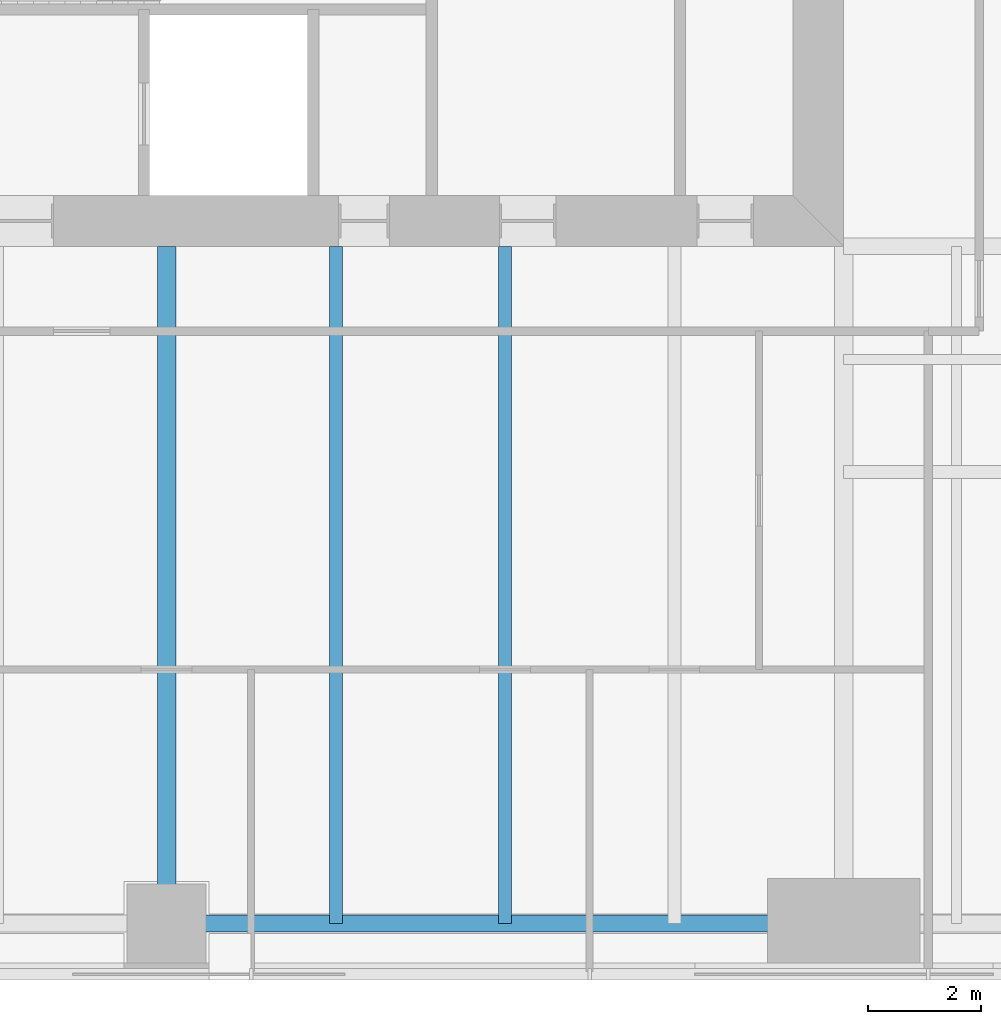
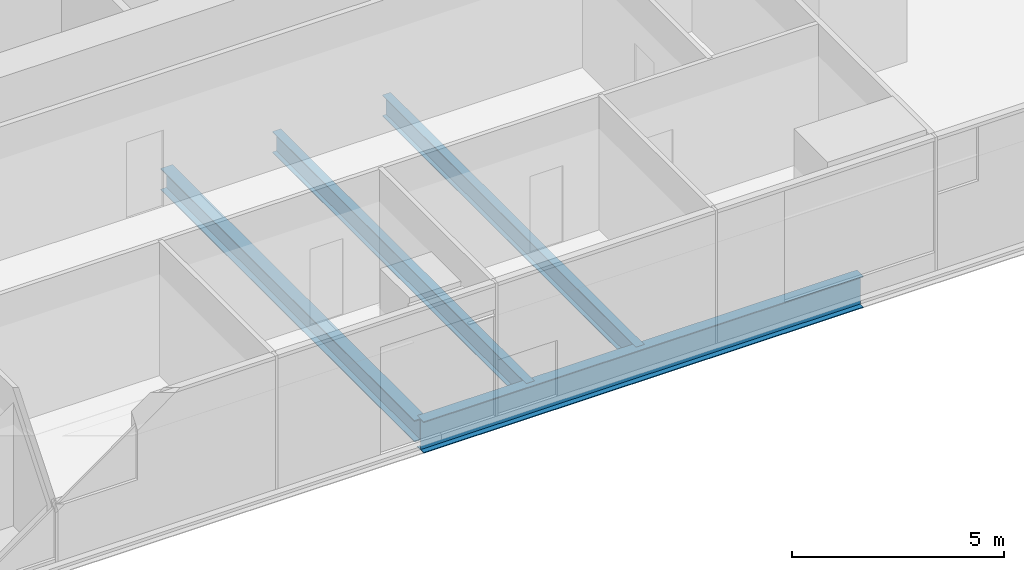
# One storey, part 3 of 14: 4 beams.
"""IFC4 building model written with IfcOpenShell, lengths in metres."""

from ifc_helpers import new_model, si_unit, direction, frame, origin, origin_2d, place, context, subcontext, project, spatial, i_section, extrude, material, material_profile, profile_set, type_object, element, save


model = new_model("IFC4")

# Units and contexts
model_context = context("Model", 3, precision=1e-05, world=origin(), true_north=direction((0.0, 1.0)))
body_context = subcontext(model_context, "Body", "Model", "MODEL_VIEW")
ifc_project = project(units=[si_unit("LENGTHUNIT", "METRE"), si_unit("AREAUNIT", "SQUARE_METRE"), si_unit("VOLUMEUNIT", "CUBIC_METRE"), si_unit("PLANEANGLEUNIT", "RADIAN"), si_unit("MASSUNIT", "GRAM", prefix="KILO")], contexts=[model_context])

# Site, building, storey
site_placement = place(None, origin())
site = spatial("IfcSite", under=ifc_project, at=site_placement, CompositionType="ELEMENT")
building_placement = place(site_placement, origin())
building = spatial("IfcBuilding", under=site, at=building_placement, Name="Fenwick Lantern Interchange", CompositionType="ELEMENT")
storey_placement = place(building_placement, frame((0.0, 0.0, 83.0)))
storey = spatial("IfcBuildingStorey", under=building, at=storey_placement, Name="L19", CompositionType="ELEMENT", Elevation=83.0)

# Beams
ifc_material = material(Name="Steel ASTM A992 Grade 50", Category="steel")
ifc_material_profile_1 = material_profile(ifc_material, i_section(OverallWidth=0.3046875, OverallDepth=0.911865234375, WebThickness=0.015869140625, FlangeThickness=0.02392578125, at=origin_2d()), Name="W36X150")
ifc_profile_set_1 = profile_set([ifc_material_profile_1], Name="Steel ASTM A992 Grade 50")
beam_type_1 = type_object("IfcBeamType", Name="EDGE BEAM W36X150", PredefinedType="SPANDREL", material=ifc_profile_set_1)
beam_1_placement = place(storey_placement, frame((25.0, 1.0, -0.60595703125), z_axis=(1.0, 0.0, 0.0), x_axis=(0.0, 1.0, 0.0)))
element("IfcBeam", 1, at=beam_1_placement, inside=storey, type_object=beam_type_1, Name="L19/FR/S/EB3", PredefinedType="SPANDREL", context=body_context, shape_type="SweptSolid", body=[
    extrude(i_section(OverallWidth=0.3046875, OverallDepth=0.911865234375, WebThickness=0.015869140625, FlangeThickness=0.02392578125, at=origin_2d()), origin(), (0.0, 0.0, 1.0), 12.0),
])
ifc_material_profile_2 = material_profile(ifc_material, i_section(OverallWidth=0.22900390625, OverallDepth=0.612060546875, WebThickness=0.011962890625, FlangeThickness=0.01953125, at=origin_2d()), Name="W24X84")
ifc_profile_set_2 = profile_set([ifc_material_profile_2], Name="Steel ASTM A992 Grade 50")
beam_type_2 = type_object("IfcBeamType", Name="FLOOR BEAM W24X84", PredefinedType="BEAM", material=ifc_profile_set_2)
for number, where, z_axis, x_axis, name in (
    (2, (28.0, 1.0, -0.4560546875), (0.0, 1.0, 0.0), (-1.0, 0.0, 0.0), "L19/FR/S/R06"),
    (3, (31.0, 1.0, -0.4560546875), (0.0, 1.0, 0.0), (-1.0, 0.0, 0.0), "L19/FR/S/R07"),
):
    element("IfcBeam", number, at=place(storey_placement, frame(where, z_axis=z_axis, x_axis=x_axis)), inside=storey, type_object=beam_type_2, Name=name, PredefinedType="BEAM", context=body_context, shape_type="SweptSolid", body=[
        extrude(i_section(OverallWidth=0.22900390625, OverallDepth=0.612060546875, WebThickness=0.011962890625, FlangeThickness=0.01953125, at=origin_2d()), origin(), (0.0, 0.0, 1.0), 12.0),
    ])
ifc_material_profile_3 = material_profile(ifc_material, i_section(OverallWidth=0.32763671875, OverallDepth=0.622314453125, WebThickness=0.015380859375, FlangeThickness=0.0244140625, at=origin_2d()), Name="W24X131")
ifc_profile_set_3 = profile_set([ifc_material_profile_3], Name="Steel ASTM A992 Grade 50")
beam_type_3 = type_object("IfcBeamType", Name="MOMENT-CONNECTED GIRDER W24X131", PredefinedType="BEAM", material=ifc_profile_set_3)
beam_2_placement = place(storey_placement, frame((25.0, 1.0, -0.461181640625), z_axis=(0.0, 1.0, 0.0), x_axis=(-1.0, 0.0, 0.0)))
element("IfcBeam", 4, at=beam_2_placement, inside=storey, type_object=beam_type_3, Name="L19/FR/S/R05", PredefinedType="BEAM", context=body_context, shape_type="SweptSolid", body=[
    extrude(i_section(OverallWidth=0.32763671875, OverallDepth=0.622314453125, WebThickness=0.015380859375, FlangeThickness=0.0244140625, at=origin_2d()), origin(), (0.0, 0.0, 1.0), 12.0),
])

save(model, "model.ifc")
